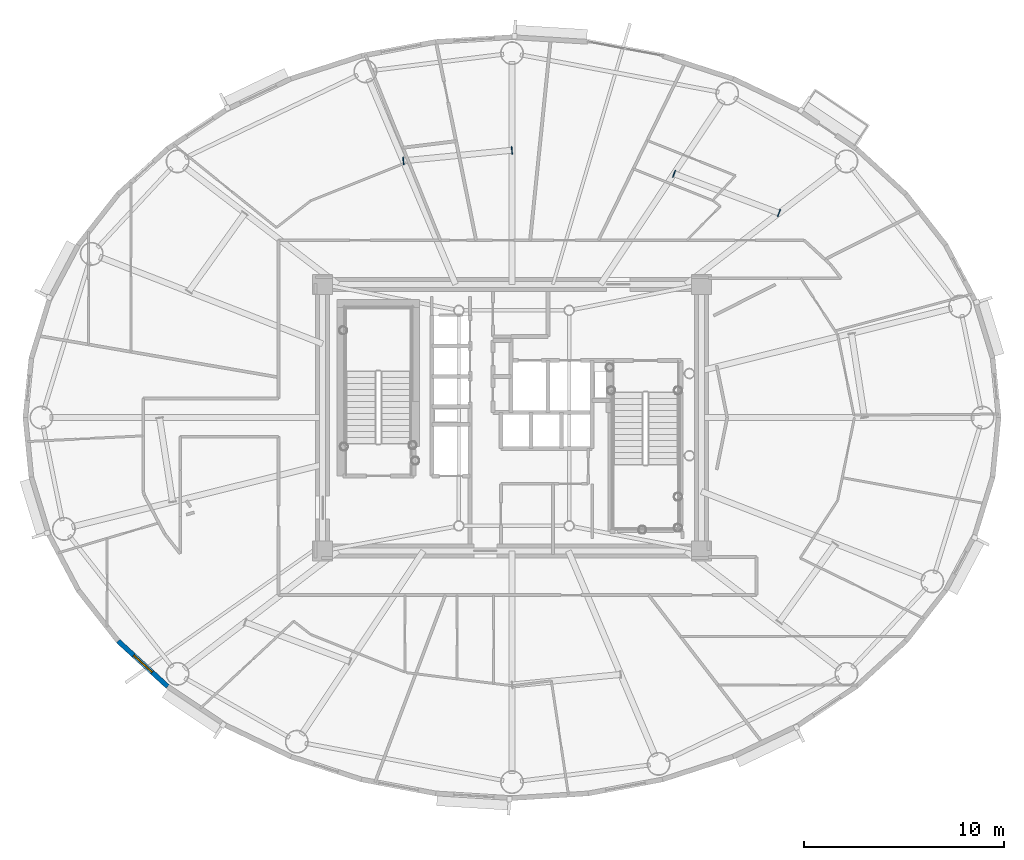
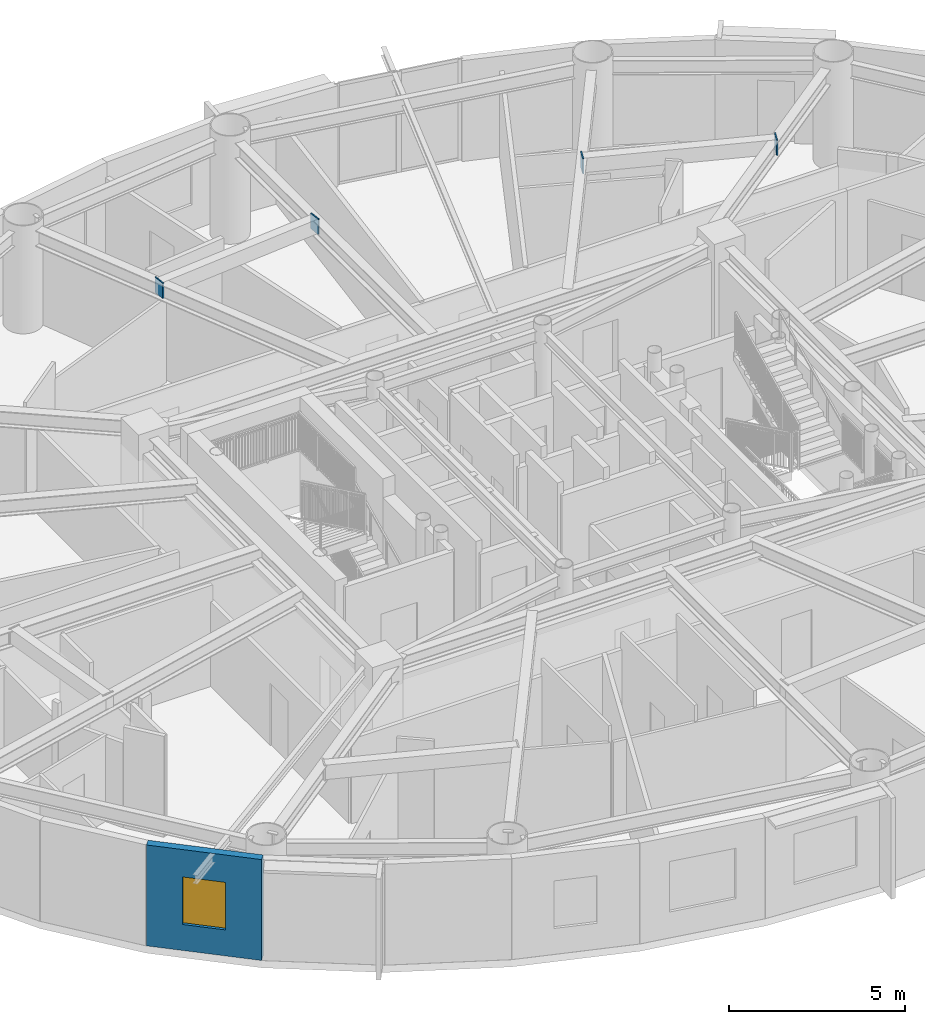
# One storey, part 8 of 21: 4 plates, 1 wall, 1 window, 1 opening.
"""IFC4 building model written with IfcOpenShell, lengths in metres."""

import ifcopenshell
import ifcopenshell.guid

model = None  # the IFC model being written
_history = None  # IfcOwnerHistory: only IFC2X3 demands one
_inside = {}  # id of a spatial element -> (the spatial element, [elements in it])
_under = {}  # id of a project, library or spatial element -> (it, [spatial elements below it])
_declared = {}  # id of a project -> (the project, [libraries it declares])
_typed = {}  # id of a type object -> (the type object, [elements of that type])
_made_of = {}  # id of a material, layer set ... -> (it, [elements and type objects made of it])


def new_model(schema):
    """Start an empty IFC model of exactly this schema.

    Asked for "IFC4X3", IfcOpenShell would pick the latest addendum, in which some entities
    have other attributes; the version numbers below select the first issue.
    IFC2X3 requires an IfcOwnerHistory on every rooted entity: one is made here for all.
    """
    global model, _history
    if schema == "IFC4X3":
        model = ifcopenshell.file(schema_version=(4, 3, 0, 0))
    else:
        model = ifcopenshell.file(schema=schema)
    _inside.clear()
    _under.clear()
    _declared.clear()
    _typed.clear()
    _made_of.clear()
    _history = None
    if model.schema == "IFC2X3":
        org = make("IfcOrganization", Name="unknown")
        user = make(
            "IfcPersonAndOrganization",
            ThePerson=make("IfcPerson", FamilyName="unknown"),
            TheOrganization=org,
        )
        app = make(
            "IfcApplication",
            ApplicationDeveloper=org,
            Version="unknown",
            ApplicationFullName="unknown",
            ApplicationIdentifier="unknown",
        )
        _history = make(
            "IfcOwnerHistory",
            OwningUser=user,
            OwningApplication=app,
            ChangeAction="ADDED",
            CreationDate=0,
        )
    return model


def make(cls, **values):
    """One entity of the class cls with the attributes given. An attribute that is None is left unset."""
    return model.create_entity(
        cls, **{name: value for name, value in values.items() if value is not None}
    )


def rooted(cls, **values):
    """An entity with a GlobalId (a new one), such as an element, a storey or a relation."""
    return make(cls, GlobalId=ifcopenshell.guid.new(), OwnerHistory=_history, **values)


def si_unit(unit_type, name, prefix=None):
    """IfcSIUnit, for example si_unit("LENGTHUNIT", "METRE", prefix="MILLI")."""
    return make("IfcSIUnit", UnitType=unit_type, Prefix=prefix, Name=name)


def assignment(units):
    """IfcUnitAssignment: the units of a project."""
    return None if units is None else make("IfcUnitAssignment", Units=units)


def point(xyz):
    """IfcCartesianPoint."""
    return None if xyz is None else make("IfcCartesianPoint", Coordinates=xyz)


def direction(xyz):
    """IfcDirection."""
    return None if xyz is None else make("IfcDirection", DirectionRatios=xyz)


def frame(location, z_axis=None, x_axis=None):
    """IfcAxis2Placement3D, a coordinate frame: its origin and axes. An axis left out is left unset."""
    return make(
        "IfcAxis2Placement3D",
        Location=point(location),
        Axis=direction(z_axis),
        RefDirection=direction(x_axis),
    )


def frame_2d(location, x_axis=None):
    """IfcAxis2Placement2D, a coordinate frame in the plane: its origin and x axis."""
    return make(
        "IfcAxis2Placement2D", Location=point(location), RefDirection=direction(x_axis)
    )


def origin():
    """The frame at (0, 0, 0) with its axes left unset."""
    return frame((0.0, 0.0, 0.0))


def origin_2d():
    """The frame at (0, 0) in the plane with its x axis left unset."""
    return frame_2d((0.0, 0.0))


def place(relative_to, where):
    """IfcLocalPlacement: puts the frame where relative to a parent placement (None: the world)."""
    return make(
        "IfcLocalPlacement", PlacementRelTo=relative_to, RelativePlacement=where
    )


def context(
    kind, dimensions, precision=None, world=None, true_north=None, identifier=None
):
    """IfcGeometricRepresentationContext, for example the 3D "Model" context."""
    return make(
        "IfcGeometricRepresentationContext",
        ContextIdentifier=identifier,
        ContextType=kind,
        CoordinateSpaceDimension=dimensions,
        Precision=precision,
        WorldCoordinateSystem=world,
        TrueNorth=true_north,
    )


def subcontext(parent, identifier, kind, view, scale=None):
    """IfcGeometricRepresentationSubContext, for example "Body" below "Model"."""
    return make(
        "IfcGeometricRepresentationSubContext",
        ContextIdentifier=identifier,
        ContextType=kind,
        ParentContext=parent,
        TargetScale=scale,
        TargetView=view,
    )


def project(units=None, contexts=None):
    """IfcProject with its units and contexts."""
    return rooted(
        "IfcProject",
        Name="project",
        RepresentationContexts=contexts,
        UnitsInContext=assignment(units),
    )


def spatial(cls, under=None, at=None, **own):
    """A site, building, storey or space (cls), placed at a placement, below another one or the project."""
    s = rooted(cls, ObjectPlacement=at, **own)
    if under is not None:
        _under.setdefault(under.id(), (under, []))[1].append(s)
    return s


def profile(cls, at=None, kind="AREA", **sizes):
    """A parametric profile (cls). Its sizes go by their IFC names, for example OverallWidth=200.0."""
    return make(cls, ProfileType=kind, Position=at, **sizes)


def rectangle(**sizes):
    """IfcRectangleProfileDef."""
    return profile("IfcRectangleProfileDef", **sizes)


def extrude(swept, where, along, depth):
    """IfcExtrudedAreaSolid: the profile swept, set in the frame where, extruded along a direction by depth."""
    return make(
        "IfcExtrudedAreaSolid",
        SweptArea=swept,
        Position=where,
        ExtrudedDirection=direction(along),
        Depth=depth,
    )


def shape(context_of_items, identifier, shape_type, items):
    """IfcShapeRepresentation: the items that make up one representation, for example the "Body"."""
    return make(
        "IfcShapeRepresentation",
        ContextOfItems=context_of_items,
        RepresentationIdentifier=identifier,
        RepresentationType=shape_type,
        Items=items,
    )


def source(mapping_origin, context_of_items, identifier, shape_type, items):
    """IfcRepresentationMap: a shape defined once, which mapped items show again and again."""
    return make(
        "IfcRepresentationMap",
        MappingOrigin=mapping_origin,
        MappedRepresentation=shape(context_of_items, identifier, shape_type, items),
    )


def transform(
    local_origin,
    x_axis=None,
    y_axis=None,
    z_axis=None,
    scale=None,
    scale2=None,
    scale3=None,
    uniform=True,
):
    """IfcCartesianTransformationOperator3D, or its non-uniform kind. x_axis, y_axis, z_axis: its Axis1, 2, 3."""
    if uniform:
        return make(
            "IfcCartesianTransformationOperator3D",
            Axis1=direction(x_axis),
            Axis2=direction(y_axis),
            LocalOrigin=point(local_origin),
            Scale=scale,
            Axis3=direction(z_axis),
        )
    return make(
        "IfcCartesianTransformationOperator3DnonUniform",
        Axis1=direction(x_axis),
        Axis2=direction(y_axis),
        LocalOrigin=point(local_origin),
        Scale=scale,
        Axis3=direction(z_axis),
        Scale2=scale2,
        Scale3=scale3,
    )


def mapped(mapping_source, mapping_target):
    """IfcMappedItem: shows the shape of a source again, moved by a transform."""
    return make(
        "IfcMappedItem", MappingSource=mapping_source, MappingTarget=mapping_target
    )


def material(Name=None, Category=None):
    """IfcMaterial."""
    return make("IfcMaterial", Name=Name, Category=Category)


def layer(
    of_material, thickness, ventilated=None, Name=None, Category=None, Priority=None
):
    """IfcMaterialLayer: one layer of a wall or slab, of a material (None: an air gap)."""
    return make(
        "IfcMaterialLayer",
        Material=of_material,
        LayerThickness=thickness,
        IsVentilated=ventilated,
        Name=Name,
        Category=Category,
        Priority=Priority,
    )


def layer_set(layers, Name=None):
    """IfcMaterialLayerSet."""
    return make("IfcMaterialLayerSet", MaterialLayers=layers, LayerSetName=Name)


def made_of(thing, what):
    """Note that an element or type object is made of a material, layer set ...; save() writes the relation."""
    if what is not None:
        _made_of.setdefault(what.id(), (what, []))[1].append(thing)
    return thing


def type_object(cls, material=None, **own):
    """A type object (cls), such as IfcWallType, which elements share."""
    return made_of(rooted(cls, **own), material)


def element(
    cls,
    number,
    at=None,
    inside=None,
    cuts=None,
    type_object=None,
    material=None,
    context=None,
    identifier="Body",
    shape_type=None,
    held_by="IfcProductDefinitionShape",
    body=None,
    shapes=None,
    **own,
):
    """One element of the class cls, such as IfcWall. Its Tag is "e" and its number.

    at: its placement. inside: the storey or other place that contains it. cuts: it is an
    opening in that element (IfcRelVoidsElement). A single representation is given by context,
    identifier, shape_type and body (its items); several are given by shapes. held_by: the class
    of the entity that holds the representations. save() writes the other relations.
    """
    e = rooted(cls, Tag="e%d" % number, ObjectPlacement=at, **own)
    if body is not None:
        shapes = [shape(context, identifier, shape_type, body)]
    if shapes is not None:
        e.Representation = make(held_by, Representations=shapes)
    if inside is not None:
        _inside.setdefault(inside.id(), (inside, []))[1].append(e)
    if cuts is not None:
        rooted(
            "IfcRelVoidsElement", RelatingBuildingElement=cuts, RelatedOpeningElement=e
        )
    if type_object is not None:
        _typed.setdefault(type_object.id(), (type_object, []))[1].append(e)
    return made_of(e, material)


def fill(opening, filler):
    """IfcRelFillsElement: the door or window that sits in an opening."""
    return rooted(
        "IfcRelFillsElement",
        RelatingOpeningElement=opening,
        RelatedBuildingElement=filler,
    )


def aggregate(whole, parts):
    """IfcRelAggregates: a whole, such as a stair, and the parts it consists of."""
    return rooted("IfcRelAggregates", RelatingObject=whole, RelatedObjects=parts)


def save(model, path):
    """Write the relations noted so far, then the file.

    IfcRelAggregates (storeys below a building ...), IfcRelContainedInSpatialStructure (elements
    in a storey), IfcRelDefinesByType, IfcRelAssociatesMaterial and IfcRelDeclares: one each for
    every whole, place, type object, material and project.
    """
    for whole, parts in _under.values():
        aggregate(whole, parts)
    for where, things in _inside.values():
        rooted(
            "IfcRelContainedInSpatialStructure",
            RelatedElements=things,
            RelatingStructure=where,
        )
    for kind, things in _typed.values():
        rooted("IfcRelDefinesByType", RelatedObjects=things, RelatingType=kind)
    for what, things in _made_of.values():
        rooted("IfcRelAssociatesMaterial", RelatedObjects=things, RelatingMaterial=what)
    for by, libraries in _declared.values():
        rooted("IfcRelDeclares", RelatingContext=by, RelatedDefinitions=libraries)
    model.write(path)


model = new_model("IFC4")

# Units and contexts
model_context = context("Model", 3, precision=1e-05, world=origin(), true_north=direction((0.0, 1.0)))
body_context = subcontext(model_context, "Body", "Model", "MODEL_VIEW")
ifc_project = project(units=[si_unit("LENGTHUNIT", "METRE"), si_unit("AREAUNIT", "SQUARE_METRE"), si_unit("VOLUMEUNIT", "CUBIC_METRE"), si_unit("PLANEANGLEUNIT", "RADIAN"), si_unit("MASSUNIT", "GRAM", prefix="KILO")], contexts=[model_context])

# Site, building, storey
site_placement = place(None, origin())
site = spatial("IfcSite", under=ifc_project, at=site_placement, CompositionType="ELEMENT")
building_placement = place(site_placement, origin())
building = spatial("IfcBuilding", under=site, at=building_placement, Name="Linh Dai School and Residence Tower", CompositionType="ELEMENT")
storey_placement = place(building_placement, frame((0.0, 0.0, 229.050048828125)))
storey = spatial("IfcBuildingStorey", under=building, at=storey_placement, Name="L56", CompositionType="ELEMENT", Elevation=229.050048828125)

# Plates
ifc_material_1 = material(Name="Structural Steel S355JR", Category="steel")
ifc_layer_1 = layer(ifc_material_1, 0.0400390625)
ifc_layer_set_1 = layer_set([ifc_layer_1], Name="Structural Steel S355JR")
plate_type = type_object("IfcPlateType", Name="PLT-GP1", PredefinedType="USERDEFINED", material=ifc_layer_set_1)
shared_shape_1 = source(origin(), body_context, "Body", "SweptSolid", [
    extrude(rectangle(XDim=0.0400390625, YDim=0.3798828125, at=origin_2d()), origin(), (0.0, 0.0, 1.0), 0.5400390625),
])
for number, where, z_axis, x_axis, name in (
    (1, (49.3173828125, 37.207763671875, 2.97998046875), (0.0, 0.0, 1.0), (-0.936533727109, 0.35057749213, 0.0), "L56 Secondary Beam End Plate 02A"),
    (2, (44.085693359375, 39.166015625, 2.97998046875), (0.0, 0.0, 1.0), (-0.936533727109, 0.35057749213, 0.0), "L56 Secondary Beam End Plate 02B"),
    (3, (35.9951171875, 40.3369140625, 2.97998046875), (0.0, 0.0, 1.0), (-0.995333315624, -0.096496584447, 0.0), "L56 Secondary Beam End Plate 03A"),
    (4, (30.581787109375, 39.81201171875, 2.97998046875), (0.0, 0.0, 1.0), (-0.995333315624, -0.096496584447, 0.0), "L56 Secondary Beam End Plate 03B"),
):
    element("IfcPlate", number, at=place(storey_placement, frame(where, z_axis=z_axis, x_axis=x_axis)), inside=storey, type_object=plate_type, Name=name, ObjectType="GUSSET PLATE", PredefinedType="USERDEFINED", context=body_context, shape_type="MappedRepresentation", body=[
        mapped(shared_shape_1, transform((0.0, 0.0, 0.0), x_axis=(1.0, 0.0, 0.0), y_axis=(0.0, 1.0, 0.0), z_axis=(0.0, 0.0, 1.0), scale=1.0)),
    ])

# Wall, opening, window
ifc_material_2 = material(Name="Precast Concrete B45 (C35/45)", Category="concrete")
ifc_layer_2 = layer(ifc_material_2, 0.239990234375)
ifc_layer_set_2 = layer_set([ifc_layer_2], Name="Precast Concrete B45 (C35/45)")
wall_type = type_object("IfcWallType", Name="EW-TC-240", PredefinedType="SOLIDWALL", material=ifc_layer_set_2)
wall_placement = place(storey_placement, frame((18.82373046875, 13.589111328125, 0.0), z_axis=(0.0, 0.0, 1.0), x_axis=(-0.737123922599, 0.675757591694, 0.0)))
wall = element("IfcWall", 5, at=wall_placement, inside=storey, type_object=wall_type, Name="L56 Terracotta Exterior Wall 25", PredefinedType="SOLIDWALL", context=body_context, shape_type="SweptSolid", body=[
    extrude(rectangle(XDim=3.353759765625, YDim=0.239990234375, at=frame_2d((1.6767578125, 0.0))), origin(), (0.0, 0.0, 1.0), 3.5),
])
opening_placement = place(wall_placement, frame((1.0517578125, 0.0, 0.89990234375)))
opening = element("IfcOpeningElement", 6, at=opening_placement, cuts=wall, Name="Opening W3", PredefinedType="OPENING", context=body_context, shape_type="SweptSolid", body=[
    extrude(rectangle(XDim=1.25, YDim=1.64990234375, at=origin_2d()), frame((0.625, 0.1298828125, 0.824951171875), z_axis=(0.0, -1.0, 0.0), x_axis=(1.0, 0.0, 0.0)), (0.0, 0.0, 1.0), 0.260009765625),
])
ifc_material_3 = material(Name="Double Low-E Insulated Glazing", Category="glass")
window_type = type_object("IfcWindowType", Name="WN-RES-1250x1650", PartitioningType="SINGLE_PANEL", PredefinedType="WINDOW", material=ifc_material_3)
shared_shape_2 = source(origin(), body_context, "Body", "SweptSolid", [
    extrude(rectangle(XDim=1.25, YDim=1.64990234375, at=origin_2d()), frame((0.625, 0.030029296875, 0.824951171875), z_axis=(0.0, -1.0, 0.0), x_axis=(1.0, 0.0, 0.0)), (0.0, 0.0, 1.0), 0.06005859375),
])
window_placement = place(opening_placement, origin())
window = element("IfcWindow", 7, at=window_placement, inside=storey, type_object=window_type, Name="L56 Dwelling Window U5602-LIV", OverallHeight=1.64990234375, OverallWidth=1.25, PartitioningType="SINGLE_PANEL", PredefinedType="WINDOW", context=body_context, shape_type="MappedRepresentation", body=[
    mapped(shared_shape_2, transform((0.0, 0.0, 0.0), x_axis=(1.0, 0.0, 0.0), y_axis=(0.0, 1.0, 0.0), z_axis=(0.0, 0.0, 1.0), scale=1.0)),
])
fill(opening, window)

save(model, "model.ifc")
